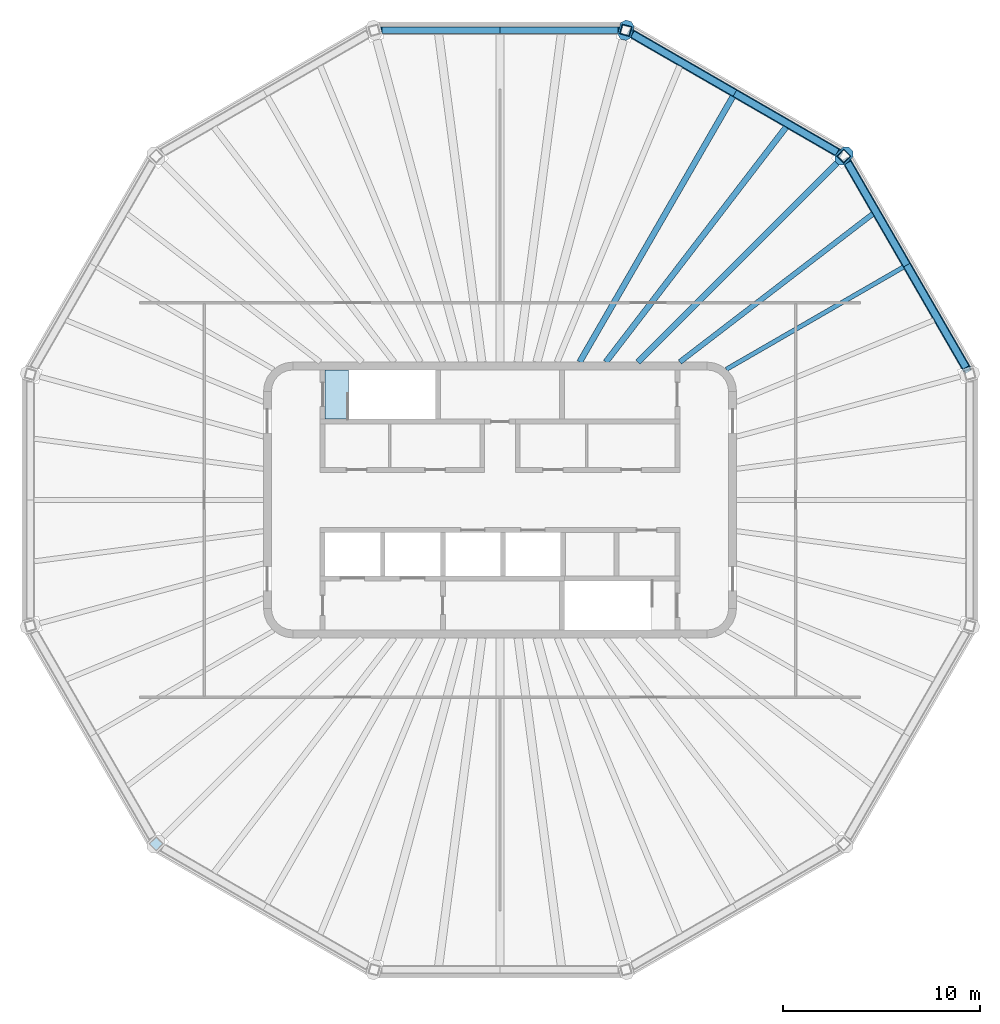
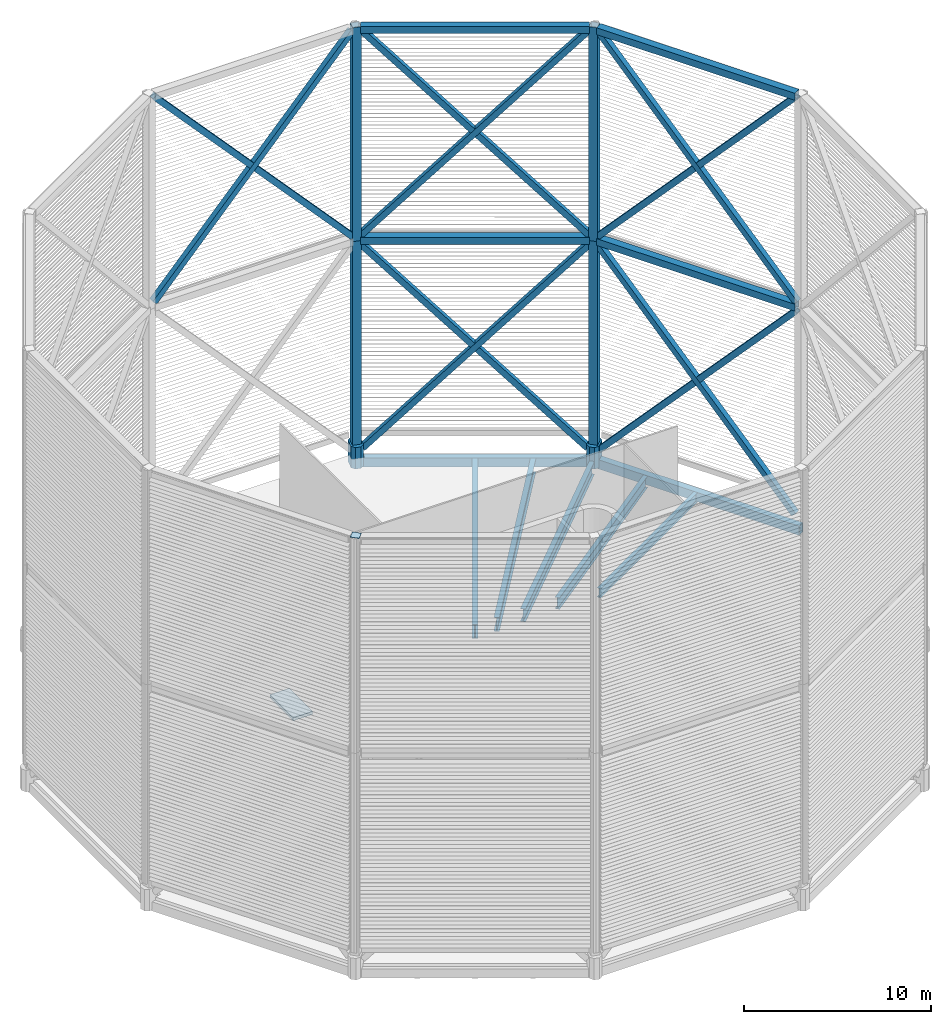
# One storey, part 3 of 18: 20 members, 7 beams, 1 plate, 1 slab.
"""IFC4 building model written with IfcOpenShell, lengths in metres."""

from ifc_helpers import new_model, si_unit, direction, frame, origin, origin_2d, place, context, subcontext, project, spatial, polyline, hollow_rectangle, i_section, outline, extrude, material, layer, layer_set, material_profile, profile_set, type_object, element, save


model = new_model("IFC4")

# Units and contexts
model_context = context("Model", 3, precision=1e-05, world=origin(), true_north=direction((0.0, 1.0)))
body_context = subcontext(model_context, "Body", "Model", "MODEL_VIEW")
ifc_project = project(units=[si_unit("LENGTHUNIT", "METRE"), si_unit("AREAUNIT", "SQUARE_METRE"), si_unit("VOLUMEUNIT", "CUBIC_METRE"), si_unit("PLANEANGLEUNIT", "RADIAN"), si_unit("MASSUNIT", "GRAM", prefix="KILO")], contexts=[model_context])

# Site, building, storey
site_placement = place(None, origin())
site = spatial("IfcSite", under=ifc_project, at=site_placement, CompositionType="ELEMENT")
building_placement = place(site_placement, origin())
building = spatial("IfcBuilding", under=site, at=building_placement, Name="Sahrelin Media Tower", CompositionType="ELEMENT")
storey_placement = place(building_placement, frame((0.0, 0.0, 335.800048828125)))
storey = spatial("IfcBuildingStorey", under=building, at=storey_placement, Name="Crown", CompositionType="ELEMENT", Elevation=335.800048828125)

# Members
ifc_material_1 = material(Name="Steel S460", Category="steel")
ifc_material_profile_1 = material_profile(ifc_material_1, hollow_rectangle(XDim=0.35009765625, YDim=0.35009765625, WallThickness=0.02001953125, at=origin_2d()), Name="Crown frame brace CF3")
ifc_profile_set_1 = profile_set([ifc_material_profile_1], Name="Steel S460")
member_type_1 = type_object("IfcMemberType", Name="Crown frame brace CF3", PredefinedType="BRACE", material=ifc_profile_set_1)
for number, where, z_axis, x_axis, name in (
    (1, (23.64892578125, 6.69921875, 0.397216796875), (-0.336963130529, 0.583625234035, 0.738808117756), (-0.866020941651, -0.500007728563, 0.0), "Crown frame brace CX-00A1"),
    (2, (17.626220703125, 17.131103515625, 0.397216796875), (0.336948462478, -0.583636826792, 0.738805649712), (0.866034666717, 0.499983955788, 0.0), "Crown frame brace CX-00A2"),
):
    element("IfcMember", number, at=place(storey_placement, frame(where, z_axis=z_axis, x_axis=x_axis)), inside=storey, type_object=member_type_1, Name=name, PredefinedType="BRACE", context=body_context, shape_type="SweptSolid", body=[
        extrude(hollow_rectangle(XDim=0.35009765625, YDim=0.35009765625, WallThickness=0.02001953125, at=origin_2d()), origin(), (0.0, 0.0, 1.0), 18.02783203125),
    ])
for number, where, z_axis, x_axis, name in (
    (3, (23.70068359375, 6.609375, 14.28369140625), (-0.336960383592, 0.583631390469, 0.738804507261), (-0.866024990512, -0.500000715809, 0.0), "Crown frame brace CX-00B1"),
    (4, (17.57421875, 17.220703125, 14.28369140625), (0.336960383592, -0.583631390469, 0.738804507261), (0.866024990512, 0.500000715809, 0.0), "Crown frame brace CX-00B2"),
):
    element("IfcMember", number, at=place(storey_placement, frame(where, z_axis=z_axis, x_axis=x_axis)), inside=storey, type_object=member_type_1, Name=name, PredefinedType="BRACE", context=body_context, shape_type="SweptSolid", body=[
        extrude(hollow_rectangle(XDim=0.35009765625, YDim=0.35009765625, WallThickness=0.02001953125, at=origin_2d()), origin(), (0.0, 0.0, 1.0), 18.181640625),
    ])
for number, where, z_axis, x_axis, name in (
    (5, (17.131103515625, 17.626220703125, 0.397216796875), (-0.583636826792, 0.336948462478, 0.738805649712), (-0.499983955788, -0.866034666717, 0.0), "Crown frame brace CX-01A1"),
    (6, (6.69921875, 23.64892578125, 0.397216796875), (0.583625234035, -0.336963130529, 0.738808117756), (0.500007728563, 0.866020941651, 0.0), "Crown frame brace CX-01A2"),
):
    element("IfcMember", number, at=place(storey_placement, frame(where, z_axis=z_axis, x_axis=x_axis)), inside=storey, type_object=member_type_1, Name=name, PredefinedType="BRACE", context=body_context, shape_type="SweptSolid", body=[
        extrude(hollow_rectangle(XDim=0.35009765625, YDim=0.35009765625, WallThickness=0.02001953125, at=origin_2d()), origin(), (0.0, 0.0, 1.0), 18.02783203125),
    ])
for number, where, z_axis, x_axis, name in (
    (7, (17.220703125, 17.57421875, 14.28369140625), (-0.583631390469, 0.336960383592, 0.738804507261), (-0.500000715809, -0.866024990512, 0.0), "Crown frame brace CX-01B1"),
    (8, (6.609375, 23.70068359375, 14.28369140625), (0.583631390469, -0.336960383592, 0.738804507261), (0.500000715809, 0.866024990512, 0.0), "Crown frame brace CX-01B2"),
    (9, (6.12646484375, 23.830078125, 14.28369140625), (-0.673920329004, 0.0, 0.738804026895), (0.0, -1.0, 0.0), "Crown frame brace CX-02B1"),
    (10, (-6.12646484375, 23.830078125, 14.28369140625), (0.673920329004, 0.0, 0.738804026895), (0.0, 1.0, 0.0), "Crown frame brace CX-02B2"),
):
    element("IfcMember", number, at=place(storey_placement, frame(where, z_axis=z_axis, x_axis=x_axis)), inside=storey, type_object=member_type_1, Name=name, PredefinedType="BRACE", context=body_context, shape_type="SweptSolid", body=[
        extrude(hollow_rectangle(XDim=0.35009765625, YDim=0.35009765625, WallThickness=0.02001953125, at=origin_2d()), origin(), (0.0, 0.0, 1.0), 18.181640625),
    ])
ifc_material_profile_2 = material_profile(ifc_material_1, hollow_rectangle(XDim=0.5, YDim=0.5, WallThickness=0.030029296875, at=origin_2d()), Name="Crown frame post CF1")
ifc_profile_set_2 = profile_set([ifc_material_profile_2], Name="Steel S460")
member_type_2 = type_object("IfcMemberType", Name="Crown frame post CF1", PredefinedType="POST", material=ifc_profile_set_2)
member_1_placement = place(storey_placement, frame((17.44482421875, 17.44482421875, 0.699951171875), z_axis=(0.0, 0.0, 1.0), x_axis=(0.707106781187, 0.707106781187, 0.0)))
element("IfcMember", 11, at=member_1_placement, inside=storey, type_object=member_type_2, Name="Crown frame post CP-01-1", PredefinedType="POST", context=body_context, shape_type="SweptSolid", body=[
    extrude(hollow_rectangle(XDim=0.5, YDim=0.5, WallThickness=0.030029296875, at=origin_2d()), origin(), (0.0, 0.0, 1.0), 13.300048828125),
])
member_2_placement = place(storey_placement, frame((17.44482421875, 17.44482421875, 14.0), z_axis=(0.0, 0.0, 1.0), x_axis=(0.707106781187, 0.707106781187, 0.0)))
element("IfcMember", 12, at=member_2_placement, inside=storey, type_object=member_type_2, Name="Crown frame post CP-01-2", PredefinedType="POST", context=body_context, shape_type="SweptSolid", body=[
    extrude(hollow_rectangle(XDim=0.5, YDim=0.5, WallThickness=0.030029296875, at=origin_2d()), origin(), (0.0, 0.0, 1.0), 13.969970703125),
])
member_3_placement = place(storey_placement, frame((6.38525390625, 23.830078125, 0.699951171875), z_axis=(0.0, 0.0, 1.0), x_axis=(0.258819045103, 0.965925826289, 0.0)))
element("IfcMember", 13, at=member_3_placement, inside=storey, type_object=member_type_2, Name="Crown frame post CP-02-1", PredefinedType="POST", context=body_context, shape_type="SweptSolid", body=[
    extrude(hollow_rectangle(XDim=0.5, YDim=0.5, WallThickness=0.030029296875, at=origin_2d()), origin(), (0.0, 0.0, 1.0), 13.300048828125),
])
member_4_placement = place(storey_placement, frame((6.38525390625, 23.830078125, 14.0), z_axis=(0.0, 0.0, 1.0), x_axis=(0.258819045103, 0.965925826289, 0.0)))
element("IfcMember", 14, at=member_4_placement, inside=storey, type_object=member_type_2, Name="Crown frame post CP-02-2", PredefinedType="POST", context=body_context, shape_type="SweptSolid", body=[
    extrude(hollow_rectangle(XDim=0.5, YDim=0.5, WallThickness=0.030029296875, at=origin_2d()), origin(), (0.0, 0.0, 1.0), 13.969970703125),
])
ifc_material_profile_3 = material_profile(ifc_material_1, hollow_rectangle(XDim=0.449951171875, YDim=0.449951171875, WallThickness=0.02490234375, at=origin_2d()), Name="Crown frame ring beam CF2")
ifc_profile_set_3 = profile_set([ifc_material_profile_3], Name="Steel S460")
member_type_3 = type_object("IfcMemberType", Name="Crown frame ring beam CF2", PredefinedType="MEMBER", material=ifc_profile_set_3)
for number, where, z_axis, x_axis, name in (
    (15, (23.70068359375, 6.609375, 14.0), (-0.500000715809, 0.866024990512, 0.0), (-0.866024990512, -0.500000715809, 0.0), "Crown frame mid ring beam CR-MID-00"),
    (16, (17.220703125, 17.57421875, 14.0), (-0.866024990512, 0.500000715809, 0.0), (-0.500000715809, -0.866024990512, 0.0), "Crown frame mid ring beam CR-MID-01"),
    (17, (23.70068359375, 6.609375, 27.77490234375), (-0.500000715809, 0.866024990512, 0.0), (-0.866024990512, -0.500000715809, 0.0), "Crown frame cap ring beam CR-CAP-00"),
    (18, (17.220703125, 17.57421875, 27.77490234375), (-0.866024990512, 0.500000715809, 0.0), (-0.500000715809, -0.866024990512, 0.0), "Crown frame cap ring beam CR-CAP-01"),
):
    element("IfcMember", number, at=place(storey_placement, frame(where, z_axis=z_axis, x_axis=x_axis)), inside=storey, type_object=member_type_3, Name=name, PredefinedType="MEMBER", context=body_context, shape_type="SweptSolid", body=[
        extrude(hollow_rectangle(XDim=0.449951171875, YDim=0.449951171875, WallThickness=0.02490234375, at=origin_2d()), origin(), (0.0, 0.0, 1.0), 12.2529296875),
    ])
ifc_material_profile_4 = material_profile(ifc_material_1, outline(polyline([(0.300048828125, -0.35009765625), (0.5, -0.14990234375), (0.5, 0.14990234375), (0.300048828125, 0.35009765625), (-0.300048828125, 0.35009765625), (-0.5, 0.14990234375), (-0.5, -0.14990234375), (-0.300048828125, -0.35009765625), (0.300048828125, -0.35009765625)])), Name="Diagrid node block 1000")
ifc_profile_set_4 = profile_set([ifc_material_profile_4], Name="Steel S460")
member_type_4 = type_object("IfcMemberType", Name="Diagrid node block 1000", PredefinedType="USERDEFINED", material=ifc_profile_set_4)
for number, where, z_axis, x_axis, name in (
    (19, (17.44482421875, 17.44482421875, -0.699951171875), (0.0, 0.0, 1.0), (0.707106781187, 0.707106781187, 0.0), "Diagrid node N17-01"),
    (20, (6.38525390625, 23.830078125, -0.699951171875), (0.0, 0.0, 1.0), (0.258819045103, 0.965925826289, 0.0), "Diagrid node N17-02"),
):
    element("IfcMember", number, at=place(storey_placement, frame(where, z_axis=z_axis, x_axis=x_axis)), inside=storey, type_object=member_type_4, Name=name, ObjectType="NODE", PredefinedType="USERDEFINED", context=body_context, shape_type="SweptSolid", body=[
        extrude(outline(polyline([(0.300048828125, -0.35009765625), (0.5, -0.14990234375), (0.5, 0.14990234375), (0.300048828125, 0.35009765625), (-0.300048828125, 0.35009765625), (-0.5, 0.14990234375), (-0.5, -0.14990234375), (-0.300048828125, -0.35009765625), (0.300048828125, -0.35009765625)])), origin(), (0.0, 0.0, 1.0), 1.39990234375),
    ])

# Beams
ifc_material_profile_5 = material_profile(ifc_material_1, hollow_rectangle(XDim=0.39990234375, YDim=0.60009765625, WallThickness=0.030029296875, at=origin_2d()), Name="Diagrid ring beam RB1")
ifc_profile_set_5 = profile_set([ifc_material_profile_5], Name="Steel S460")
beam_type_1 = type_object("IfcBeamType", Name="Diagrid ring beam RB1", PredefinedType="BEAM", material=ifc_profile_set_5)
for number, where, z_axis, x_axis, name in (
    (21, (23.830078125, 6.38525390625, -0.5), (-0.500000470374, 0.866025132214, 0.0), (-0.866025132214, -0.500000470374, 0.0), "Diagrid ring beam RB17-00"),
    (22, (17.44482421875, 17.44482421875, -0.5), (-0.866025132214, 0.500000470374, 0.0), (-0.500000470374, -0.866025132214, 0.0), "Diagrid ring beam RB17-01"),
):
    element("IfcBeam", number, at=place(storey_placement, frame(where, z_axis=z_axis, x_axis=x_axis)), inside=storey, type_object=beam_type_1, Name=name, PredefinedType="BEAM", context=body_context, shape_type="SweptSolid", body=[
        extrude(hollow_rectangle(XDim=0.39990234375, YDim=0.60009765625, WallThickness=0.030029296875, at=origin_2d()), origin(), (0.0, 0.0, 1.0), 12.7705078125),
    ])
ifc_material_2 = material(Name="Steel S355", Category="steel")
ifc_material_profile_6 = material_profile(ifc_material_2, i_section(OverallWidth=0.291748046875, OverallDepth=0.8349609375, WebThickness=0.013916015625, FlangeThickness=0.018798828125, FilletRadius=0.017822265625, at=origin_2d()), Name="UB 838x292x176")
ifc_profile_set_6 = profile_set([ifc_material_profile_6], Name="Steel S355")
beam_type_2 = type_object("IfcBeamType", Name="Radial primary beam PB10", PredefinedType="BEAM", material=ifc_profile_set_6)
beam_1_placement = place(storey_placement, frame((7.0, 7.0, -0.617431640625), z_axis=(0.707106781187, 0.707106781187, 0.0), x_axis=(-0.707106781187, 0.707106781187, 0.0)))
element("IfcBeam", 23, at=beam_1_placement, inside=storey, type_object=beam_type_2, Name="Radial beam Crown-04", PredefinedType="BEAM", context=body_context, shape_type="SweptSolid", body=[
    extrude(i_section(OverallWidth=0.291748046875, OverallDepth=0.8349609375, WebThickness=0.013916015625, FlangeThickness=0.018798828125, FilletRadius=0.017822265625, at=origin_2d()), origin(), (0.0, 0.0, 1.0), 14.271240234375),
])
ifc_material_profile_7 = material_profile(ifc_material_2, i_section(OverallWidth=0.30322265625, OverallDepth=0.903076171875, WebThickness=0.01513671875, FlangeThickness=0.020263671875, FilletRadius=0.01904296875, at=origin_2d()), Name="UB 914x305x201")
ifc_profile_set_7 = profile_set([ifc_material_profile_7], Name="Steel S355")
beam_type_3 = type_object("IfcBeamType", Name="Radial primary beam PB11", PredefinedType="BEAM", material=ifc_profile_set_7)
beam_2_placement = place(storey_placement, frame((4.04150390625, 7.0, -0.651611328125), z_axis=(0.500001562308, 0.866024501784, 0.0), x_axis=(-0.866024501784, 0.500001562308, 0.0)))
element("IfcBeam", 24, at=beam_2_placement, inside=storey, type_object=beam_type_3, Name="Radial beam Crown-05", PredefinedType="BEAM", context=body_context, shape_type="SweptSolid", body=[
    extrude(i_section(OverallWidth=0.30322265625, OverallDepth=0.903076171875, WebThickness=0.01513671875, FlangeThickness=0.020263671875, FilletRadius=0.01904296875, at=origin_2d()), origin(), (0.0, 0.0, 1.0), 15.54736328125),
])
ifc_material_profile_8 = material_profile(ifc_material_2, i_section(OverallWidth=0.2275390625, OverallDepth=0.6025390625, WebThickness=0.010498046875, FlangeThickness=0.014892578125, FilletRadius=0.0126953125, at=origin_2d()), Name="UB 610x229x101")
ifc_profile_set_8 = profile_set([ifc_material_profile_8], Name="Steel S355")
beam_type_4 = type_object("IfcBeamType", Name="Radial primary beam PB7", PredefinedType="BEAM", material=ifc_profile_set_8)
beam_3_placement = place(storey_placement, frame((11.47607421875, 6.625732421875, -0.50146484375), z_axis=(0.866022628259, 0.50000480732, 0.0), x_axis=(-0.50000480732, 0.866022628259, 0.0)))
element("IfcBeam", 25, at=beam_3_placement, inside=storey, type_object=beam_type_4, Name="Radial beam Crown-03", PredefinedType="BEAM", context=body_context, shape_type="SweptSolid", body=[
    extrude(i_section(OverallWidth=0.2275390625, OverallDepth=0.6025390625, WebThickness=0.010498046875, FlangeThickness=0.014892578125, FilletRadius=0.0126953125, at=origin_2d()), origin(), (0.0, 0.0, 1.0), 10.37890625),
])
ifc_material_profile_9 = material_profile(ifc_material_2, i_section(OverallWidth=0.30322265625, OverallDepth=0.903076171875, WebThickness=0.01513671875, FlangeThickness=0.020263671875, FilletRadius=0.01904296875, at=origin_2d()), Name="UB 914x305x201")
ifc_profile_set_9 = profile_set([ifc_material_profile_9], Name="Steel S355")
beam_type_5 = type_object("IfcBeamType", Name="Radial secondary beam SB11", PredefinedType="BEAM", material=ifc_profile_set_9)
beam_4_placement = place(storey_placement, frame((5.371337890625, 7.0, -0.651611328125), z_axis=(0.608756892546, 0.793356821221, 0.0), x_axis=(-0.793356821221, 0.608756892546, 0.0)))
element("IfcBeam", 26, at=beam_4_placement, inside=storey, type_object=beam_type_5, Name="Secondary beam Crown-04", PredefinedType="BEAM", context=body_context, shape_type="SweptSolid", body=[
    extrude(i_section(OverallWidth=0.30322265625, OverallDepth=0.903076171875, WebThickness=0.01513671875, FlangeThickness=0.020263671875, FilletRadius=0.01904296875, at=origin_2d()), origin(), (0.0, 0.0, 1.0), 15.0107421875),
])
ifc_material_profile_10 = material_profile(ifc_material_2, i_section(OverallWidth=0.26513671875, OverallDepth=0.75390625, WebThickness=0.0126953125, FlangeThickness=0.017578125, FilletRadius=0.0166015625, at=origin_2d()), Name="UB 762x267x147")
ifc_profile_set_10 = profile_set([ifc_material_profile_10], Name="Steel S355")
beam_type_6 = type_object("IfcBeamType", Name="Radial secondary beam SB9", PredefinedType="BEAM", material=ifc_profile_set_10)
beam_5_placement = place(storey_placement, frame((9.12255859375, 7.0, -0.5771484375), z_axis=(0.793356230012, 0.608757663033, 0.0), x_axis=(-0.608757663033, 0.793356230012, 0.0)))
element("IfcBeam", 27, at=beam_5_placement, inside=storey, type_object=beam_type_6, Name="Secondary beam Crown-03", PredefinedType="BEAM", context=body_context, shape_type="SweptSolid", body=[
    extrude(i_section(OverallWidth=0.26513671875, OverallDepth=0.75390625, WebThickness=0.0126953125, FlangeThickness=0.017578125, FilletRadius=0.0166015625, at=origin_2d()), origin(), (0.0, 0.0, 1.0), 12.33544921875),
])

# Plate
ifc_layer_1 = layer(ifc_material_2, 0.030029296875)
ifc_layer_set_1 = layer_set([ifc_layer_1], Name="Crown post cap plate")
plate_type = type_object("IfcPlateType", Name="Crown post cap plate", PredefinedType="SHEET", material=ifc_layer_set_1)
plate_placement = place(storey_placement, frame((0.0, 0.0, 27.969970703125)))
element("IfcPlate", 28, at=plate_placement, inside=storey, type_object=plate_type, Name="Crown post cap plate N17-07", PredefinedType="SHEET", context=body_context, shape_type="SweptSolid", body=[
    extrude(outline(polyline([(-17.44482421875, -17.09130859375), (-17.798583984375, -17.44482421875), (-17.44482421875, -17.798583984375), (-17.09130859375, -17.44482421875), (-17.44482421875, -17.09130859375)])), origin(), (0.0, 0.0, 1.0), 0.030029296875),
])

# Slab
ifc_material_3 = material(Name="Concrete C40/50", Category="concrete")
ifc_layer_2 = layer(ifc_material_3, 0.199951171875)
ifc_layer_set_2 = layer_set([ifc_layer_2], Name="Stair landing 200")
slab_type = type_object("IfcSlabType", Name="Stair landing 200", PredefinedType="LANDING", material=ifc_layer_set_2)
slab_placement = place(storey_placement, frame((0.0, 0.0, -0.199951171875)))
element("IfcSlab", 29, at=slab_placement, inside=storey, type_object=slab_type, Name="ST1 Crown floor landing", PredefinedType="LANDING", context=body_context, shape_type="SweptSolid", body=[
    extrude(outline(polyline([(-8.875, 4.10009765625), (-7.675048828125, 4.10009765625), (-7.675048828125, 6.60009765625), (-8.875, 6.60009765625), (-8.875, 4.10009765625)])), origin(), (0.0, 0.0, 1.0), 0.199951171875),
])

save(model, "model.ifc")
